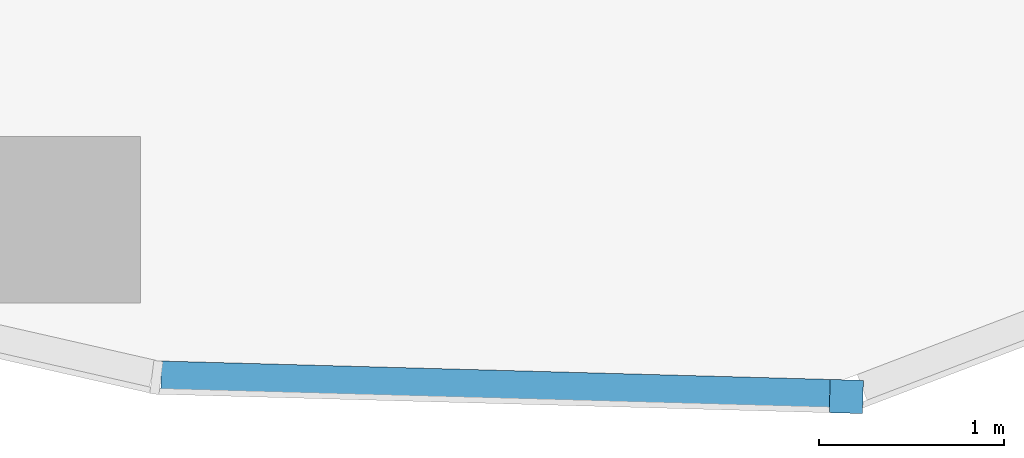
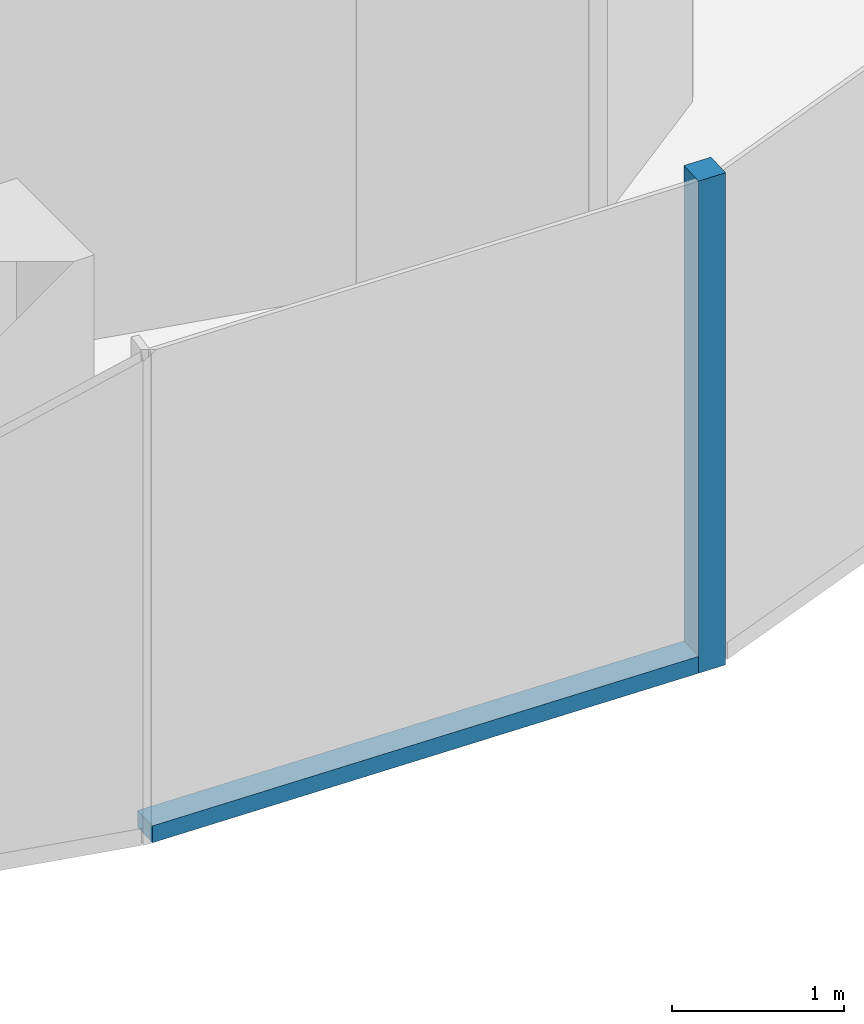
# One storey, part 3 of 24: 2 members, 1 element without a shape of its own.
"""IFC4 building model written with IfcOpenShell, lengths in metres."""

from ifc_helpers import new_model, si_unit, direction, frame, origin, origin_2d, place, context, subcontext, project, spatial, rectangle, extrude, material, material_profile, profile_set, type_object, element, aggregate, save


model = new_model("IFC4")

# Units and contexts
model_context = context("Model", 3, precision=1e-05, world=origin(), true_north=direction((0.0, 1.0)))
body_context = subcontext(model_context, "Body", "Model", "MODEL_VIEW")
ifc_project = project(units=[si_unit("LENGTHUNIT", "METRE"), si_unit("AREAUNIT", "SQUARE_METRE"), si_unit("VOLUMEUNIT", "CUBIC_METRE"), si_unit("PLANEANGLEUNIT", "RADIAN"), si_unit("MASSUNIT", "GRAM", prefix="KILO")], contexts=[model_context])

# Site, building, storey
site_placement = place(None, origin())
site = spatial("IfcSite", under=ifc_project, at=site_placement, CompositionType="ELEMENT")
building_placement = place(site_placement, origin())
building = spatial("IfcBuilding", under=site, at=building_placement, Name="Orlundy Tower", CompositionType="ELEMENT")
storey_placement = place(building_placement, frame((0.0, 0.0, 177.60009765625)))
storey = spatial("IfcBuildingStorey", under=building, at=storey_placement, Name="L46", CompositionType="ELEMENT", Elevation=177.60009765625)

# Curtain wall, members
ifc_material_1 = material(Name="Aluminium bronze anodised", Category="aluminium")
curtain_wall_type = type_object("IfcCurtainWallType", Name="CW1 wall", PredefinedType="NOTDEFINED", material=ifc_material_1)
curtain_wall_placement = place(storey_placement, origin())
curtain_wall = element("IfcCurtainWall", 1, at=curtain_wall_placement, inside=storey, type_object=curtain_wall_type, Name="CW1 run 022", PredefinedType="NOTDEFINED")
ifc_material_2 = material(Name="Aluminium bronze anodised", Category="aluminium")
ifc_material_profile_1 = material_profile(ifc_material_2, rectangle(XDim=0.179931640625, YDim=0.179931640625, at=origin_2d()), Name="CW1 corner post 180x180")
ifc_profile_set_1 = profile_set([ifc_material_profile_1], Name="Aluminium bronze anodised")
member_type_1 = type_object("IfcMemberType", Name="CW1 corner post 180x180", PredefinedType="MULLION", material=ifc_profile_set_1)
member_1_placement = place(storey_placement, frame((0.5205078125, -61.513427734375, -0.420166015625), z_axis=(0.0, 0.0, 1.0), x_axis=(-0.02751993738, -0.999621254799, 0.0)))
member_1 = element("IfcMember", 2, at=member_1_placement, type_object=member_type_1, Name="CW1 mullion 52", PredefinedType="MULLION", context=body_context, shape_type="SweptSolid", body=[
    extrude(rectangle(XDim=0.179931640625, YDim=0.179931640625, at=origin_2d()), origin(), (0.0, 0.0, 1.0), 3.5),
])
ifc_material_3 = material(Name="Aluminium bronze anodised", Category="aluminium")
ifc_material_profile_2 = material_profile(ifc_material_3, rectangle(XDim=0.179931640625, YDim=0.1201171875, at=origin_2d()), Name="CW1 transom 180x120")
ifc_profile_set_2 = profile_set([ifc_material_profile_2], Name="Aluminium bronze anodised")
member_type_2 = type_object("IfcMemberType", Name="CW1 transom 180x120", PredefinedType="USERDEFINED", material=ifc_profile_set_2)
member_2_placement = place(storey_placement, frame((0.430419921875, -61.510986328125, -0.360107421875), z_axis=(-0.999620948111, 0.02753107512, 0.0), x_axis=(-0.02753107512, -0.999620948111, 0.0)))
member_2 = element("IfcMember", 3, at=member_2_placement, type_object=member_type_2, Name="CW1 transom", ObjectType="TRANSOM", PredefinedType="USERDEFINED", context=body_context, shape_type="SweptSolid", body=[
    extrude(rectangle(XDim=0.179931640625, YDim=0.1201171875, at=origin_2d()), origin(), (0.0, 0.0, 1.0), 3.6181640625),
])
aggregate(curtain_wall, [member_1, member_2])

save(model, "model.ifc")
